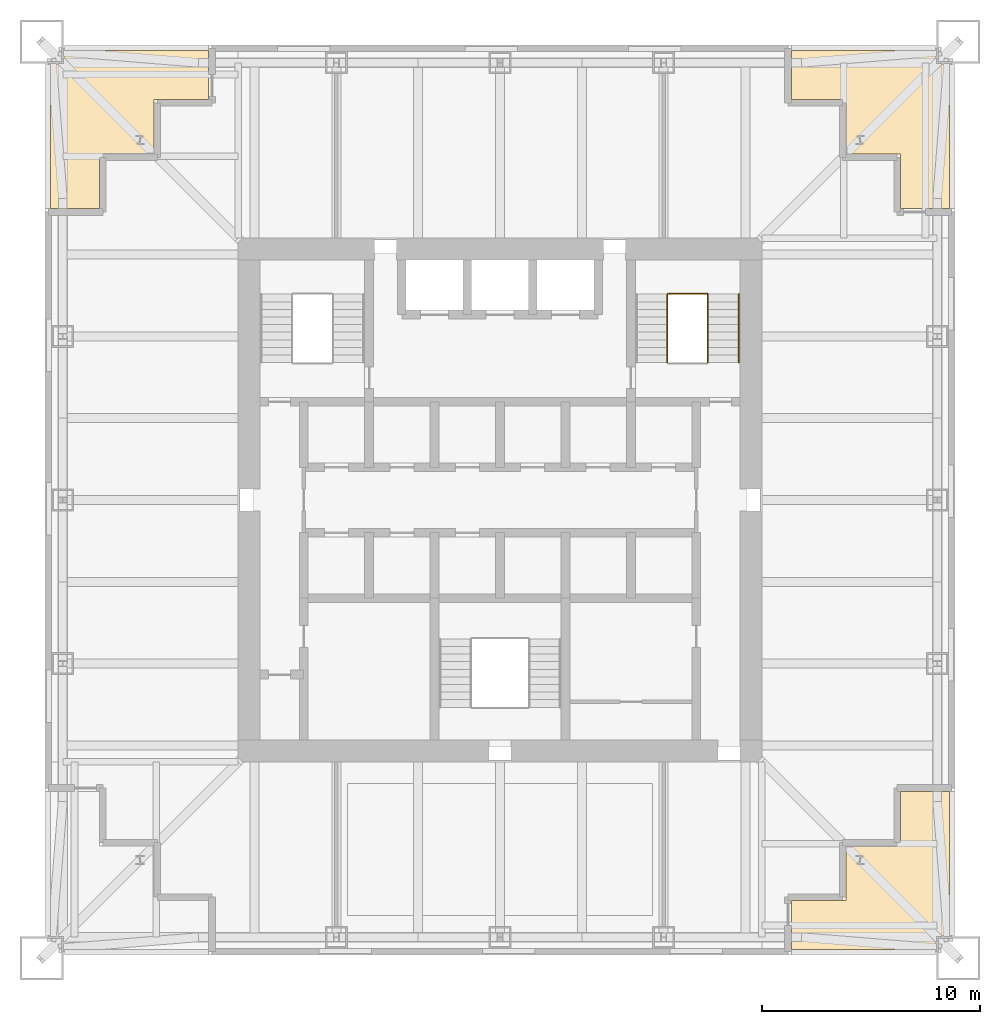
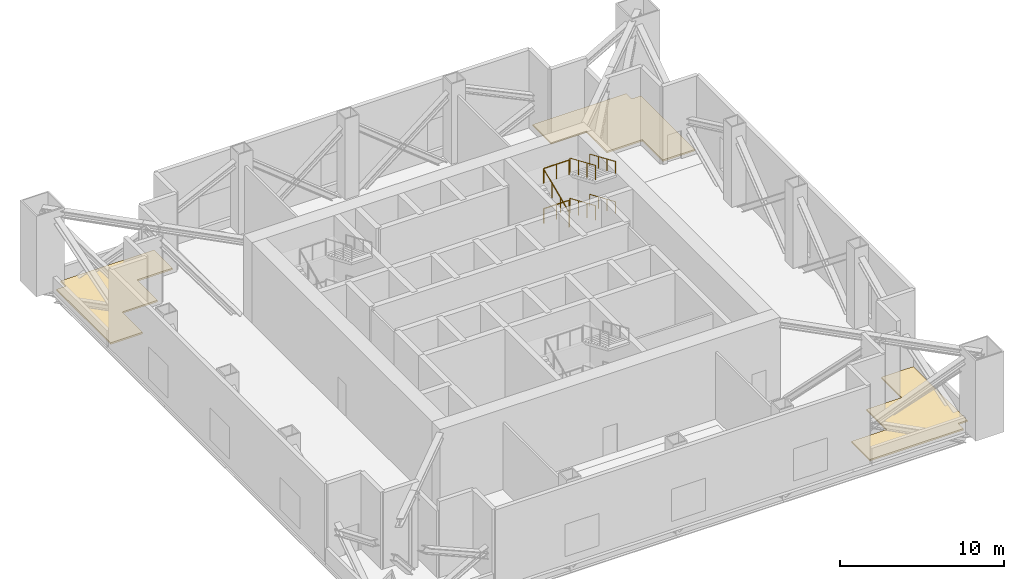
# One storey, part 7 of 7: 7 railings, 3 coverings.
"""IFC4 building model written with IfcOpenShell, lengths in metres."""

from ifc_helpers import new_model, si_unit, direction, frame, origin, origin_2d, place, context, subcontext, project, spatial, polyline, circle, outline, extrude, material, layer, layer_set, type_object, element, save


model = new_model("IFC4")

# Units and contexts
model_context = context("Model", 3, precision=1e-05, world=origin(), true_north=direction((0.0, 1.0)))
body_context = subcontext(model_context, "Body", "Model", "MODEL_VIEW")
ifc_project = project(units=[si_unit("LENGTHUNIT", "METRE"), si_unit("AREAUNIT", "SQUARE_METRE"), si_unit("VOLUMEUNIT", "CUBIC_METRE"), si_unit("PLANEANGLEUNIT", "RADIAN"), si_unit("MASSUNIT", "GRAM", prefix="KILO")], contexts=[model_context])

# Site, building, storey
site_placement = place(None, origin())
site = spatial("IfcSite", under=ifc_project, at=site_placement, CompositionType="ELEMENT")
building_placement = place(site_placement, origin())
building = spatial("IfcBuilding", under=site, at=building_placement, Name="Tarangal Relay Tower", CompositionType="ELEMENT")
storey_placement = place(building_placement, frame((0.0, 0.0, 335.89990234375)))
storey = spatial("IfcBuildingStorey", under=building, at=storey_placement, Name="L75", CompositionType="ELEMENT", Elevation=335.89990234375)

# Coverings
ifc_material_1 = material(Name="Bituminous membrane on rigid insulation", Category="plastic")
ifc_layer = layer(ifc_material_1, 0.1201171875)
ifc_layer_set = layer_set([ifc_layer], Name="Roof membrane and insulation")
covering_type = type_object("IfcCoveringType", Name="Roof membrane and insulation", PredefinedType="ROOFING", material=ifc_layer_set)
covering_1_placement = place(storey_placement, origin())
element("IfcCovering", 1, at=covering_1_placement, inside=storey, type_object=covering_type, Name="Ledge roofing RF2 NE L75", PredefinedType="ROOFING", context=body_context, shape_type="SweptSolid", body=[
    extrude(outline(polyline([(19.949951171875, 19.949951171875), (19.949951171875, 20.60009765625), (13.35009765625, 20.60009765625), (13.35009765625, 18.35009765625), (15.85009765625, 18.35009765625), (15.85009765625, 15.85009765625), (18.35009765625, 15.85009765625), (18.35009765625, 13.35009765625), (20.60009765625, 13.35009765625), (20.60009765625, 19.949951171875), (19.949951171875, 19.949951171875)])), origin(), (0.0, 0.0, 1.0), 0.1201171875),
])
covering_2_placement = place(storey_placement, origin())
element("IfcCovering", 2, at=covering_2_placement, inside=storey, type_object=covering_type, Name="Ledge roofing RF2 SE L75", PredefinedType="ROOFING", context=body_context, shape_type="SweptSolid", body=[
    extrude(outline(polyline([(19.949951171875, -19.949951171875), (20.60009765625, -19.949951171875), (20.60009765625, -13.35009765625), (18.35009765625, -13.35009765625), (18.35009765625, -15.85009765625), (15.85009765625, -15.85009765625), (15.85009765625, -18.35009765625), (13.35009765625, -18.35009765625), (13.35009765625, -20.60009765625), (19.949951171875, -20.60009765625), (19.949951171875, -19.949951171875)])), origin(), (0.0, 0.0, 1.0), 0.1201171875),
])
covering_3_placement = place(storey_placement, origin())
element("IfcCovering", 3, at=covering_3_placement, inside=storey, type_object=covering_type, Name="Ledge roofing RF2 NW L75", PredefinedType="ROOFING", context=body_context, shape_type="SweptSolid", body=[
    extrude(outline(polyline([(-19.949951171875, 19.949951171875), (-20.60009765625, 19.949951171875), (-20.60009765625, 13.35009765625), (-18.35009765625, 13.35009765625), (-18.35009765625, 15.85009765625), (-15.85009765625, 15.85009765625), (-15.85009765625, 18.35009765625), (-13.35009765625, 18.35009765625), (-13.35009765625, 20.60009765625), (-19.949951171875, 20.60009765625), (-19.949951171875, 19.949951171875)])), origin(), (0.0, 0.0, 1.0), 0.1201171875),
])

# Railings
ifc_material_2 = material(Name="Steel guard, black finish", Category="steel")
railing_type_1 = type_object("IfcRailingType", Name="Stair guard 1100", PredefinedType="GUARDRAIL", material=ifc_material_2)
railing_1_placement = place(storey_placement, frame((9.530029296875, 9.431884765625, 1.650146484375)))
element("IfcRailing", 4, at=railing_1_placement, inside=storey, type_object=railing_type_1, Name="Stair ST-B guard GR1 L75 flight 2", PredefinedType="GUARDRAIL", context=body_context, shape_type="SweptSolid", body=[
    extrude(circle(Radius=0.02392578125, at=origin_2d()), frame((0.0, 0.0, 1.076171875), z_axis=(0.0, -0.918332162045, 0.395810611471), x_axis=(1.0, 0.0, 0.0)), (0.0, 0.0, 1.0), 3.410400390625),
    extrude(circle(Radius=0.02099609375, at=origin_2d()), origin(), (0.0, 0.0, 1.0), 1.052001953125),
    extrude(circle(Radius=0.02099609375, at=origin_2d()), frame((0.0, -1.0439453125, 0.449951171875)), (0.0, 0.0, 1.0), 1.052001953125),
    extrude(circle(Radius=0.02099609375, at=origin_2d()), frame((0.0, -2.087890625, 0.89990234375)), (0.0, 0.0, 1.0), 1.052001953125),
    extrude(circle(Radius=0.02099609375, at=origin_2d()), frame((0.0, -3.1318359375, 1.349853515625)), (0.0, 0.0, 1.0), 1.052001953125),
])
railing_2_placement = place(storey_placement, frame((7.669921875, 6.300048828125, 3.150146484375)))
element("IfcRailing", 5, at=railing_2_placement, inside=storey, type_object=railing_type_1, Name="Stair ST-B guard GR1 L75 flight 3", PredefinedType="GUARDRAIL", context=body_context, shape_type="SweptSolid", body=[
    extrude(circle(Radius=0.02392578125, at=origin_2d()), frame((0.0, 0.0, 1.076171875), z_axis=(0.0, 0.918332162045, 0.395810611471), x_axis=(-1.0, 0.0, 0.0)), (0.0, 0.0, 1.0), 3.410400390625),
    extrude(circle(Radius=0.02099609375, at=origin_2d()), origin(), (0.0, 0.0, 1.0), 1.052001953125),
    extrude(circle(Radius=0.02099609375, at=origin_2d()), frame((0.0, 1.0439453125, 0.449951171875)), (0.0, 0.0, 1.0), 1.052001953125),
    extrude(circle(Radius=0.02099609375, at=origin_2d()), frame((0.0, 2.087890625, 0.89990234375)), (0.0, 0.0, 1.0), 1.052001953125),
    extrude(circle(Radius=0.02099609375, at=origin_2d()), frame((0.0, 3.1318359375, 1.349853515625)), (0.0, 0.0, 1.0), 1.052001953125),
])
railing_3_placement = place(storey_placement, frame((9.530029296875, 9.431884765625, 4.650146484375)))
element("IfcRailing", 6, at=railing_3_placement, inside=storey, type_object=railing_type_1, Name="Stair ST-B guard GR1 L75 flight 4", PredefinedType="GUARDRAIL", context=body_context, shape_type="SweptSolid", body=[
    extrude(circle(Radius=0.02392578125, at=origin_2d()), frame((0.0, 0.0, 1.076171875), z_axis=(0.0, -0.918332162045, 0.395810611471), x_axis=(1.0, 0.0, 0.0)), (0.0, 0.0, 1.0), 3.410400390625),
    extrude(circle(Radius=0.02099609375, at=origin_2d()), origin(), (0.0, 0.0, 1.0), 1.052001953125),
    extrude(circle(Radius=0.02099609375, at=origin_2d()), frame((0.0, -1.0439453125, 0.449951171875)), (0.0, 0.0, 1.0), 1.052001953125),
    extrude(circle(Radius=0.02099609375, at=origin_2d()), frame((0.0, -2.087890625, 0.89990234375)), (0.0, 0.0, 1.0), 1.052001953125),
    extrude(circle(Radius=0.02099609375, at=origin_2d()), frame((0.0, -3.1318359375, 1.349853515625)), (0.0, 0.0, 1.0), 1.052001953125),
])
for number, where, name in (
    (7, (7.699951171875, 9.4619140625, 1.5), "Stair ST-B landing guard GR1 L75"),
    (8, (7.699951171875, 9.4619140625, 4.5), "Stair ST-B landing guard GR1 L75"),
):
    element("IfcRailing", number, at=place(storey_placement, frame(where)), inside=storey, type_object=railing_type_1, Name=name, PredefinedType="GUARDRAIL", context=body_context, shape_type="SweptSolid", body=[
        extrude(circle(Radius=0.02392578125, at=origin_2d()), frame((0.0, 0.0, 1.076171875), z_axis=(1.0, 0.0, 0.0), x_axis=(0.0, 1.0, 0.0)), (0.0, 0.0, 1.0), 1.800048828125),
        extrude(circle(Radius=0.02099609375, at=origin_2d()), origin(), (0.0, 0.0, 1.0), 1.052001953125),
        extrude(circle(Radius=0.02099609375, at=origin_2d()), frame((0.89990234375, 0.0, 0.0)), (0.0, 0.0, 1.0), 1.052001953125),
        extrude(circle(Radius=0.02099609375, at=origin_2d()), frame((1.800048828125, 0.0, 0.0)), (0.0, 0.0, 1.0), 1.052001953125),
    ])
ifc_material_3 = material(Name="Steel handrail, black finish", Category="steel")
railing_type_2 = type_object("IfcRailingType", Name="Stair handrail 900", PredefinedType="HANDRAIL", material=ifc_material_3)
for number, where, name in (
    (9, (10.93994140625, 9.431884765625, 1.650146484375), "Stair ST-B handrail HR1 L75 flight 2"),
    (10, (10.93994140625, 9.431884765625, 4.650146484375), "Stair ST-B handrail HR1 L75 flight 4"),
):
    element("IfcRailing", number, at=place(storey_placement, frame(where)), inside=storey, type_object=railing_type_2, Name=name, PredefinedType="HANDRAIL", context=body_context, shape_type="SweptSolid", body=[
        extrude(circle(Radius=0.02392578125, at=origin_2d()), frame((0.0, 0.0, 0.8759765625), z_axis=(0.0, -0.918332162045, 0.395810611471), x_axis=(1.0, 0.0, 0.0)), (0.0, 0.0, 1.0), 3.410400390625),
        extrude(circle(Radius=0.02099609375, at=origin_2d()), origin(), (0.0, 0.0, 1.0), 0.851806640625),
        extrude(circle(Radius=0.02099609375, at=origin_2d()), frame((0.0, -1.0439453125, 0.449951171875)), (0.0, 0.0, 1.0), 0.851806640625),
        extrude(circle(Radius=0.02099609375, at=origin_2d()), frame((0.0, -2.087890625, 0.89990234375)), (0.0, 0.0, 1.0), 0.851806640625),
        extrude(circle(Radius=0.02099609375, at=origin_2d()), frame((0.0, -3.1318359375, 1.349853515625)), (0.0, 0.0, 1.0), 0.851806640625),
    ])

save(model, "model.ifc")
